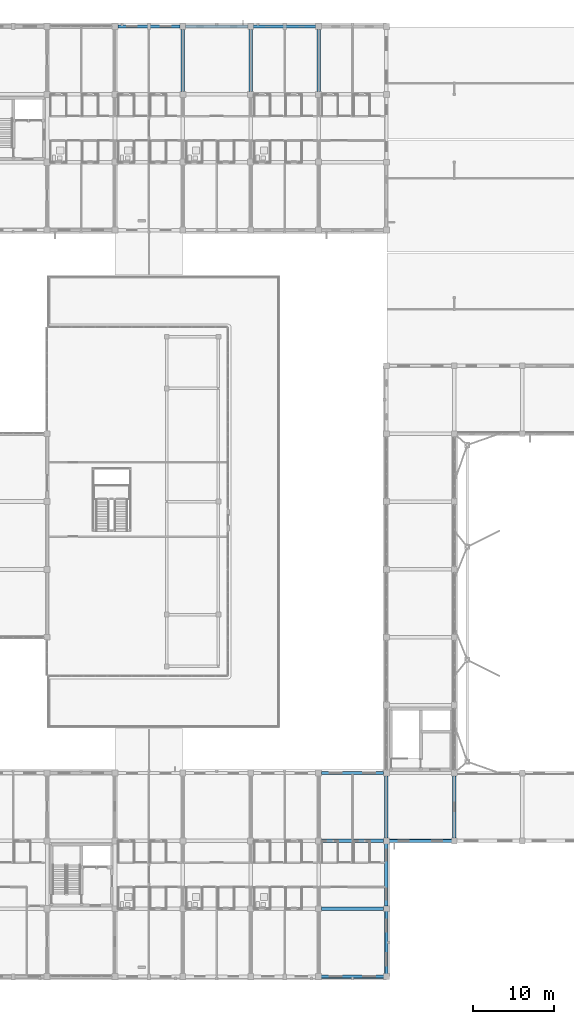
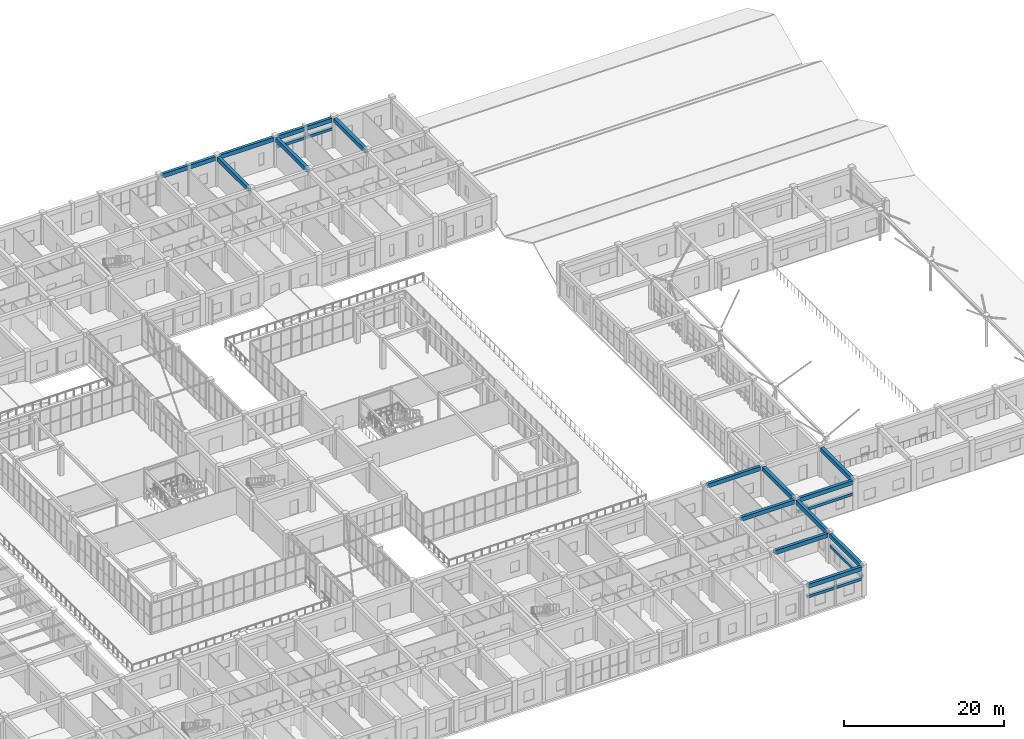
# One storey, part 90 of 158: 19 beams.
"""IFC4 building model written with IfcOpenShell, lengths in metres."""

from ifc_helpers import new_model, si_unit, direction, frame, origin, origin_2d, place, context, subcontext, project, spatial, rectangle, extrude, material, material_profile, profile_set, type_object, element, save


model = new_model("IFC4")

# Units and contexts
model_context = context("Model", 3, precision=1e-05, world=origin(), true_north=direction((0.0, 1.0)))
body_context = subcontext(model_context, "Body", "Model", "MODEL_VIEW")
ifc_project = project(units=[si_unit("LENGTHUNIT", "METRE"), si_unit("AREAUNIT", "SQUARE_METRE"), si_unit("VOLUMEUNIT", "CUBIC_METRE"), si_unit("PLANEANGLEUNIT", "RADIAN"), si_unit("MASSUNIT", "GRAM", prefix="KILO")], contexts=[model_context])

# Site, building, storey
site_placement = place(None, origin())
site = spatial("IfcSite", under=ifc_project, at=site_placement, CompositionType="ELEMENT")
building_placement = place(site_placement, origin())
building = spatial("IfcBuilding", under=site, at=building_placement, Name="Trelvath General Hospital", CompositionType="ELEMENT")
storey_placement = place(building_placement, frame((0.0, 0.0, 8.10009765625)))
storey = spatial("IfcBuildingStorey", under=building, at=storey_placement, Name="L02", CompositionType="ELEMENT", Elevation=8.10009765625)

# Beams
ifc_material_1 = material(Name="Concrete C35/45", Category="concrete")
ifc_material_profile_1 = material_profile(ifc_material_1, rectangle(XDim=0.419921875, YDim=0.6201171875, at=origin_2d()), Name="RCB420x620")
ifc_profile_set_1 = profile_set([ifc_material_profile_1], Name="Concrete C35/45")
beam_type_1 = type_object("IfcBeamType", Name="Beam RC420x620", PredefinedType="BEAM", material=ifc_profile_set_1)
beam_1_placement = place(storey_placement, frame((101.155029296875, 117.60009765625, 4.2099609375), z_axis=(1.0, 0.0, 0.0), x_axis=(0.0, 1.0, 0.0)))
element("IfcBeam", 1, at=beam_1_placement, inside=storey, type_object=beam_type_1, Name="Grid Beam BX-212O", PredefinedType="BEAM", context=body_context, shape_type="SweptSolid", body=[
    extrude(rectangle(XDim=0.419921875, YDim=0.6201171875, at=origin_2d()), origin(), (0.0, 0.0, 1.0), 7.68994140625),
])
beam_2_placement = place(storey_placement, frame((109.554931640625, 117.60009765625, 4.2099609375), z_axis=(1.0, 0.0, 0.0), x_axis=(0.0, 1.0, 0.0)))
element("IfcBeam", 2, at=beam_2_placement, inside=storey, type_object=beam_type_1, Name="Grid Beam BX-213O", PredefinedType="BEAM", context=body_context, shape_type="SweptSolid", body=[
    extrude(rectangle(XDim=0.419921875, YDim=0.6201171875, at=origin_2d()), origin(), (0.0, 0.0, 1.0), 7.690185546875),
])
for number, where, z_axis, x_axis, name in (
    (3, (117.955078125, 117.60009765625, 4.2099609375), (1.0, 0.0, 0.0), (0.0, 1.0, 0.0), "Grid Beam BX-214O"),
    (4, (126.35498046875, 0.0, 4.2099609375), (1.0, 0.0, 0.0), (0.0, 1.0, 0.0), "Grid Beam BX-215A"),
):
    element("IfcBeam", number, at=place(storey_placement, frame(where, z_axis=z_axis, x_axis=x_axis)), inside=storey, type_object=beam_type_1, Name=name, PredefinedType="BEAM", context=body_context, shape_type="SweptSolid", body=[
        extrude(rectangle(XDim=0.419921875, YDim=0.6201171875, at=origin_2d()), origin(), (0.0, 0.0, 1.0), 7.68994140625),
    ])
for number, where, z_axis, x_axis, name in (
    (5, (126.364990234375, 8.39990234375, 4.2099609375), (1.0, 0.0, 0.0), (0.0, 1.0, 0.0), "Grid Beam BX-215B"),
    (6, (126.364990234375, 16.800048828125, 4.2099609375), (1.0, 0.0, 0.0), (0.0, 1.0, 0.0), "Grid Beam BX-215C"),
):
    element("IfcBeam", number, at=place(storey_placement, frame(where, z_axis=z_axis, x_axis=x_axis)), inside=storey, type_object=beam_type_1, Name=name, PredefinedType="BEAM", context=body_context, shape_type="SweptSolid", body=[
        extrude(rectangle(XDim=0.419921875, YDim=0.6201171875, at=origin_2d()), origin(), (0.0, 0.0, 1.0), 7.679931640625),
    ])
beam_3_placement = place(storey_placement, frame((126.35498046875, 25.199951171875, 4.2099609375), z_axis=(1.0, 0.0, 0.0), x_axis=(0.0, 1.0, 0.0)))
element("IfcBeam", 7, at=beam_3_placement, inside=storey, type_object=beam_type_1, Name="Grid Beam BX-215D", PredefinedType="BEAM", context=body_context, shape_type="SweptSolid", body=[
    extrude(rectangle(XDim=0.419921875, YDim=0.6201171875, at=origin_2d()), origin(), (0.0, 0.0, 1.0), 7.68994140625),
])
beam_4_placement = place(storey_placement, frame((134.7548828125, 16.800048828125, 4.2099609375), z_axis=(1.0, 0.0, 0.0), x_axis=(0.0, 1.0, 0.0)))
element("IfcBeam", 8, at=beam_4_placement, inside=storey, type_object=beam_type_1, Name="Grid Beam BX-216C", PredefinedType="BEAM", context=body_context, shape_type="SweptSolid", body=[
    extrude(rectangle(XDim=0.419921875, YDim=0.6201171875, at=origin_2d()), origin(), (0.0, 0.0, 1.0), 7.690185546875),
])
ifc_material_2 = material(Name="Concrete C35/45", Category="concrete")
ifc_material_profile_2 = material_profile(ifc_material_2, rectangle(XDim=0.449951171875, YDim=0.64990234375, at=origin_2d()), Name="RCB450x650")
ifc_profile_set_2 = profile_set([ifc_material_profile_2], Name="Concrete C35/45")
beam_type_2 = type_object("IfcBeamType", Name="Beam RC450x650", PredefinedType="BEAM", material=ifc_profile_set_2)
for number, where, z_axis, x_axis, name in (
    (9, (109.199951171875, 109.56494140625, 4.19482421875), (0.0, 1.0, 0.0), (-1.0, 0.0, 0.0), "Grid Beam BY-213N"),
    (10, (117.60009765625, 109.56494140625, 4.19482421875), (0.0, 1.0, 0.0), (-1.0, 0.0, 0.0), "Grid Beam BY-214N"),
    (11, (126.0, 109.56494140625, 4.19482421875), (0.0, 1.0, 0.0), (-1.0, 0.0, 0.0), "Grid Beam BY-215N"),
):
    element("IfcBeam", number, at=place(storey_placement, frame(where, z_axis=z_axis, x_axis=x_axis)), inside=storey, type_object=beam_type_2, Name=name, PredefinedType="BEAM", context=body_context, shape_type="SweptSolid", body=[
        extrude(rectangle(XDim=0.449951171875, YDim=0.64990234375, at=origin_2d()), origin(), (0.0, 0.0, 1.0), 7.68017578125),
    ])
beam_5_placement = place(storey_placement, frame((134.39990234375, 0.35498046875, 4.19482421875), z_axis=(0.0, 1.0, 0.0), x_axis=(-1.0, 0.0, 0.0)))
element("IfcBeam", 12, at=beam_5_placement, inside=storey, type_object=beam_type_2, Name="Grid Beam BY-216A", PredefinedType="BEAM", context=body_context, shape_type="SweptSolid", body=[
    extrude(rectangle(XDim=0.449951171875, YDim=0.64990234375, at=origin_2d()), origin(), (0.0, 0.0, 1.0), 7.68994140625),
])
beam_6_placement = place(storey_placement, frame((134.39990234375, 8.7548828125, 4.19482421875), z_axis=(0.0, 1.0, 0.0), x_axis=(-1.0, 0.0, 0.0)))
element("IfcBeam", 13, at=beam_6_placement, inside=storey, type_object=beam_type_2, Name="Grid Beam BY-216B", PredefinedType="BEAM", context=body_context, shape_type="SweptSolid", body=[
    extrude(rectangle(XDim=0.449951171875, YDim=0.64990234375, at=origin_2d()), origin(), (0.0, 0.0, 1.0), 7.690185546875),
])
for number, where, z_axis, x_axis, name in (
    (14, (134.39990234375, 17.155029296875, 4.19482421875), (0.0, 1.0, 0.0), (-1.0, 0.0, 0.0), "Grid Beam BY-216C"),
    (15, (142.800048828125, 17.155029296875, 4.19482421875), (0.0, 1.0, 0.0), (-1.0, 0.0, 0.0), "Grid Beam BY-217C"),
):
    element("IfcBeam", number, at=place(storey_placement, frame(where, z_axis=z_axis, x_axis=x_axis)), inside=storey, type_object=beam_type_2, Name=name, PredefinedType="BEAM", context=body_context, shape_type="SweptSolid", body=[
        extrude(rectangle(XDim=0.449951171875, YDim=0.64990234375, at=origin_2d()), origin(), (0.0, 0.0, 1.0), 7.68994140625),
    ])
ifc_material_3 = material(Name="Precast concrete C40/50", Category="concrete")
ifc_material_profile_3 = material_profile(ifc_material_3, rectangle(XDim=0.35009765625, YDim=0.419921875, at=origin_2d()), Name="PCL350x420")
ifc_profile_set_3 = profile_set([ifc_material_profile_3], Name="Precast concrete C40/50")
beam_type_3 = type_object("IfcBeamType", Name="Lintel PC350x420", PredefinedType="LINTEL", material=ifc_profile_set_3)
for number, where, z_axis, x_axis, name in (
    (16, (117.875, 117.60009765625, 2.81982421875), (1.0, 0.0, 0.0), (0.0, 1.0, 0.0), "Precast Window Brow Lintel L02-295"),
    (17, (134.125, 0.0, 2.619873046875), (-1.0, 0.0, 0.0), (0.0, -1.0, 0.0), "Precast Window Brow Lintel L02-296"),
    (18, (134.39990234375, 8.125, 2.619873046875), (0.0, -1.0, 0.0), (1.0, 0.0, 0.0), "Precast Window Brow Lintel L02-297"),
):
    element("IfcBeam", number, at=place(storey_placement, frame(where, z_axis=z_axis, x_axis=x_axis)), inside=storey, type_object=beam_type_3, Name=name, PredefinedType="LINTEL", context=body_context, shape_type="SweptSolid", body=[
        extrude(rectangle(XDim=0.35009765625, YDim=0.419921875, at=origin_2d()), origin(), (0.0, 0.0, 1.0), 7.85009765625),
    ])
beam_7_placement = place(storey_placement, frame((142.52490234375, 16.800048828125, 2.409912109375), z_axis=(-1.0, 0.0, 0.0), x_axis=(0.0, -1.0, 0.0)))
element("IfcBeam", 19, at=beam_7_placement, inside=storey, type_object=beam_type_3, Name="Precast Window Brow Lintel L02-305", PredefinedType="LINTEL", context=body_context, shape_type="SweptSolid", body=[
    extrude(rectangle(XDim=0.35009765625, YDim=0.419921875, at=origin_2d()), origin(), (0.0, 0.0, 1.0), 7.849853515625),
])

save(model, "model.ifc")
